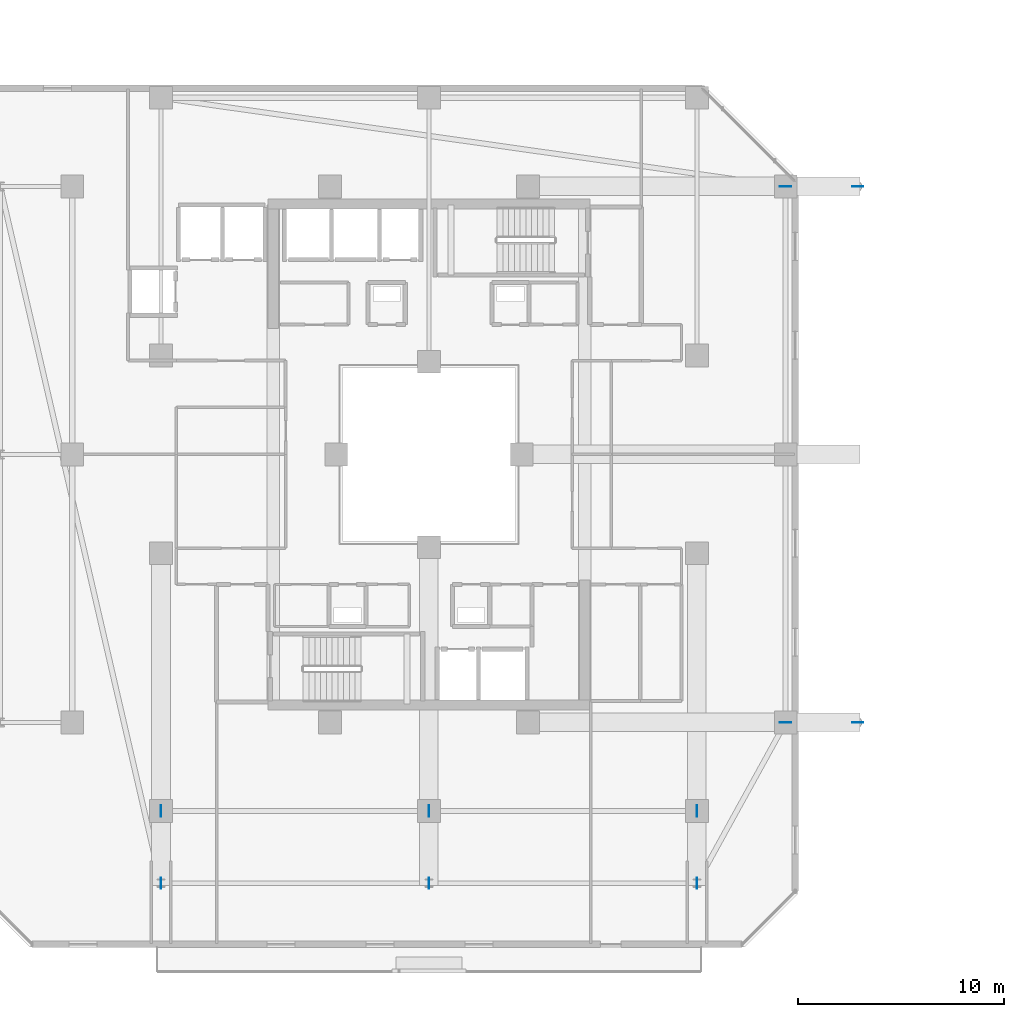
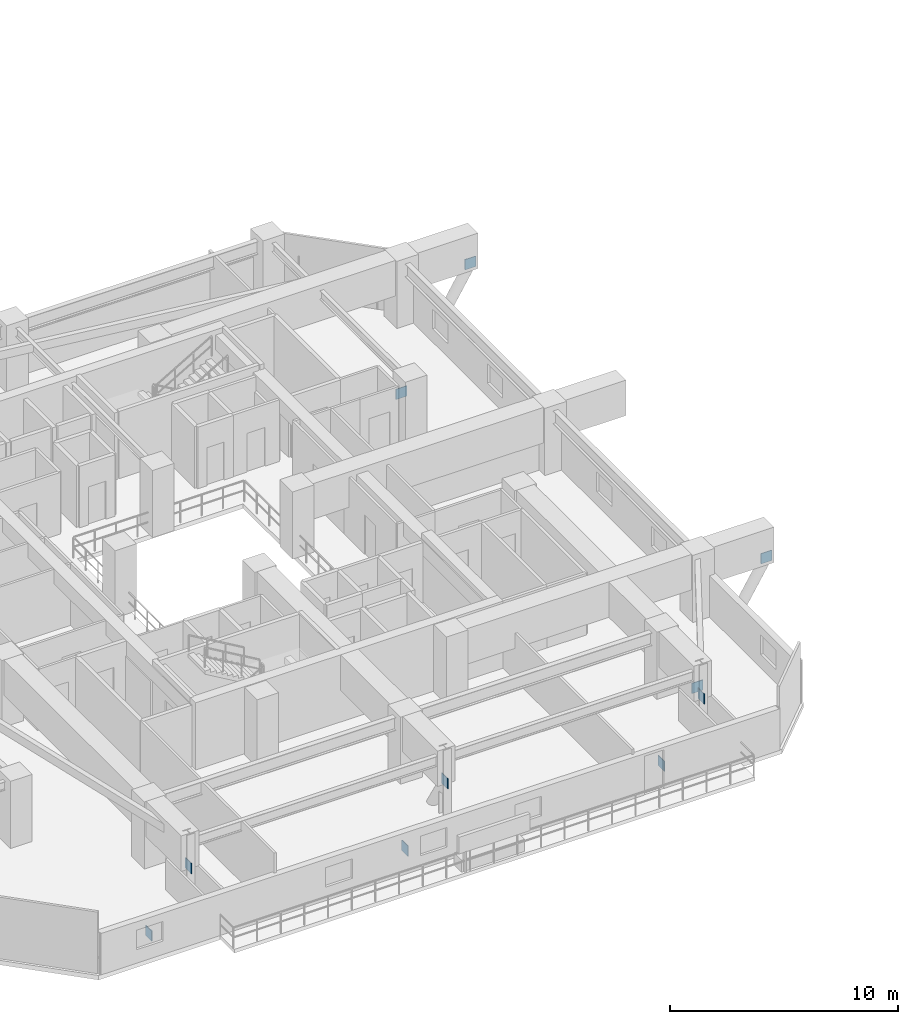
# One storey, part 18 of 35: 10 plates.
"""IFC4 building model written with IfcOpenShell, lengths in metres."""

from ifc_helpers import new_model, si_unit, direction, frame, origin, origin_2d, place, context, subcontext, project, spatial, rectangle, extrude, material, layer, layer_set, type_object, element, save


model = new_model("IFC4")

# Units and contexts
model_context = context("Model", 3, precision=1e-05, world=origin(), true_north=direction((0.0, 1.0)))
body_context = subcontext(model_context, "Body", "Model", "MODEL_VIEW")
ifc_project = project(units=[si_unit("LENGTHUNIT", "METRE"), si_unit("AREAUNIT", "SQUARE_METRE"), si_unit("VOLUMEUNIT", "CUBIC_METRE"), si_unit("PLANEANGLEUNIT", "RADIAN"), si_unit("MASSUNIT", "GRAM", prefix="KILO")], contexts=[model_context])

# Site, building, storey
site_placement = place(None, origin())
site = spatial("IfcSite", under=ifc_project, at=site_placement, CompositionType="ELEMENT")
building_placement = place(site_placement, origin())
building = spatial("IfcBuilding", under=site, at=building_placement, Name="Thornwick Lancets Civic Towers", CompositionType="ELEMENT")
storey_placement = place(building_placement, frame((0.0, 0.0, 145.5)))
storey = spatial("IfcBuildingStorey", under=building, at=storey_placement, Name="L38", CompositionType="ELEMENT", Elevation=145.5)

# Plates
ifc_material = material(Name="Steel S460M", Category="steel")
ifc_layer = layer(ifc_material, 0.0400390625, Name="Steel S460M")
ifc_layer_set = layer_set([ifc_layer], Name="Steel S460M")
plate_type = type_object("IfcPlateType", Name="PLT_GUSSET_40", PredefinedType="USERDEFINED", material=ifc_layer_set)
for number, where, z_axis, x_axis, name in (
    (1, (12.5, 9.699951171875, -4.22509765625), (0.0, 0.0, 1.0), (0.0, -1.0, 0.0), "L38 Brace Connection Gusset Plate 0241"),
    (2, (12.5, 6.199951171875, 1.5048828125), (0.0, 0.0, 1.0), (0.0, -1.0, 0.0), "L38 Brace Connection Gusset Plate 0242"),
    (3, (25.5, 9.699951171875, -4.22509765625), (0.0, 0.0, 1.0), (0.0, -1.0, 0.0), "L38 Brace Connection Gusset Plate 0243"),
    (4, (25.5, 6.199951171875, 1.5048828125), (0.0, 0.0, 1.0), (0.0, -1.0, 0.0), "L38 Brace Connection Gusset Plate 0244"),
    (5, (38.5, 9.699951171875, -4.22509765625), (0.0, 0.0, 1.0), (0.0, -1.0, 0.0), "L38 Brace Connection Gusset Plate 0245"),
    (6, (38.5, 6.199951171875, 1.5048828125), (0.0, 0.0, 1.0), (0.0, -1.0, 0.0), "L38 Brace Connection Gusset Plate 0246"),
    (7, (42.800048828125, 14.0, -4.22509765625), (0.0, 0.0, 1.0), (1.0, 0.0, 0.0), "L38 Brace Connection Gusset Plate 0247"),
    (8, (46.300048828125, 14.0, 1.5048828125), (0.0, 0.0, 1.0), (1.0, 0.0, 0.0), "L38 Brace Connection Gusset Plate 0248"),
    (9, (42.800048828125, 40.0, -4.22509765625), (0.0, 0.0, 1.0), (1.0, 0.0, 0.0), "L38 Brace Connection Gusset Plate 0249"),
    (10, (46.300048828125, 40.0, 1.5048828125), (0.0, 0.0, 1.0), (1.0, 0.0, 0.0), "L38 Brace Connection Gusset Plate 0250"),
):
    element("IfcPlate", number, at=place(storey_placement, frame(where, z_axis=z_axis, x_axis=x_axis)), inside=storey, type_object=plate_type, Name=name, ObjectType="GUSSET_PLATE", PredefinedType="USERDEFINED", context=body_context, shape_type="SweptSolid", body=[
        extrude(rectangle(XDim=0.550048828125, YDim=0.0400390625, at=origin_2d()), origin(), (0.0, 0.0, 1.0), 0.550048828125),
    ])

save(model, "model.ifc")
